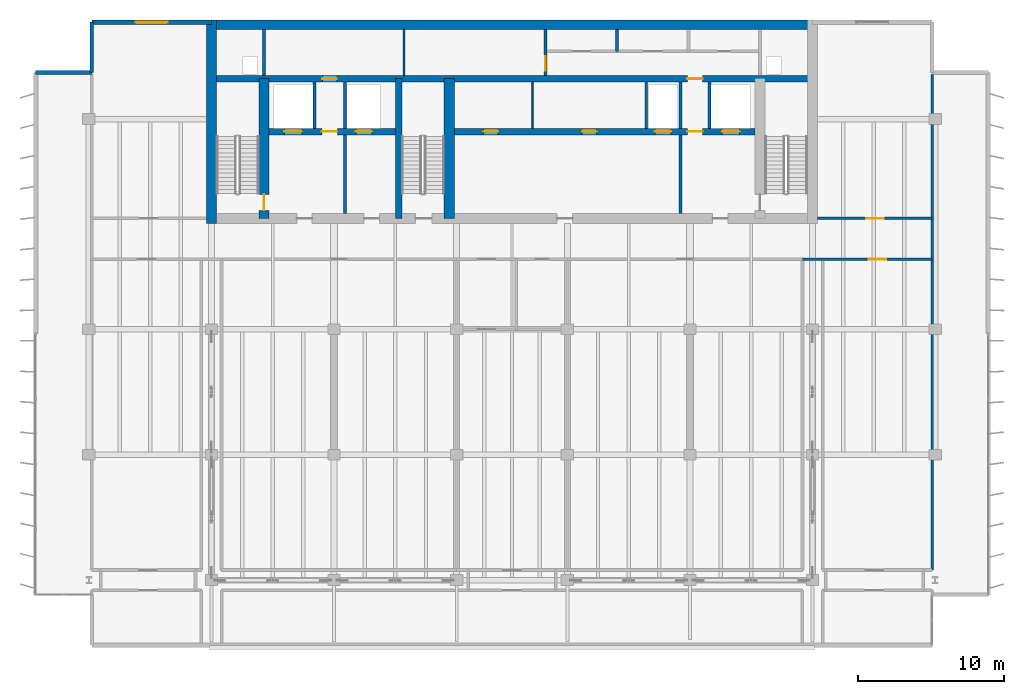
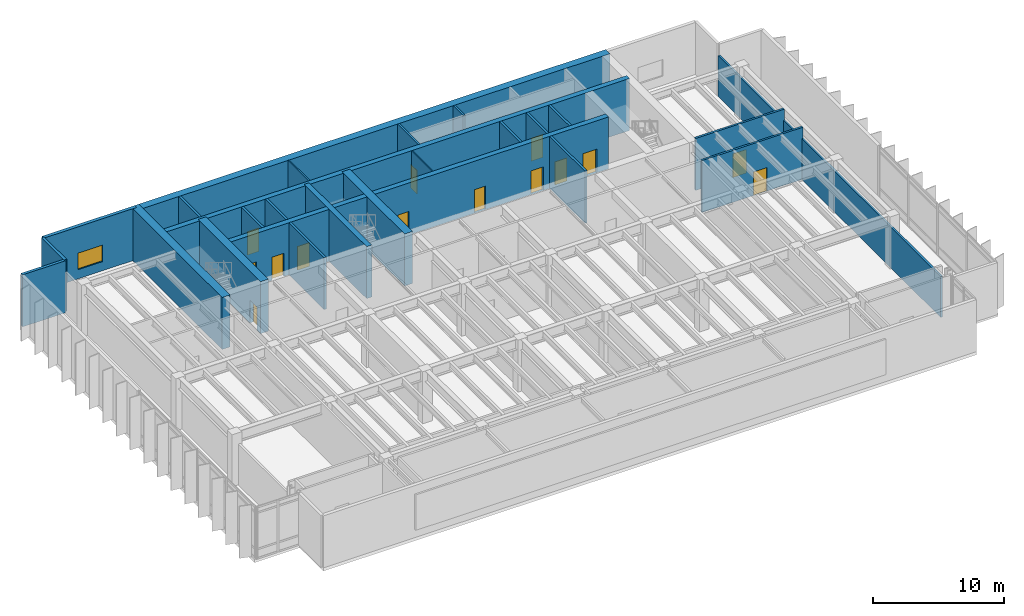
# One storey, part 17 of 23: 25 walls, 14 doors, 1 window, 15 openings.
"""IFC4 building model written with IfcOpenShell, lengths in metres."""

from ifc_helpers import new_model, si_unit, direction, frame, frame_2d, origin, place, context, subcontext, project, spatial, rectangle, extrude, material, layer, layer_set, type_object, element, fill, save


model = new_model("IFC4")

# Units and contexts
model_context = context("Model", 3, precision=1e-05, world=origin(), true_north=direction((0.0, 1.0)))
body_context = subcontext(model_context, "Body", "Model", "MODEL_VIEW")
ifc_project = project(units=[si_unit("LENGTHUNIT", "METRE"), si_unit("AREAUNIT", "SQUARE_METRE"), si_unit("VOLUMEUNIT", "CUBIC_METRE"), si_unit("PLANEANGLEUNIT", "RADIAN"), si_unit("MASSUNIT", "GRAM", prefix="KILO")], contexts=[model_context])

# Site, building, storey
site_placement = place(None, origin())
site = spatial("IfcSite", under=ifc_project, at=site_placement, CompositionType="ELEMENT")
building_placement = place(site_placement, origin())
building = spatial("IfcBuilding", under=site, at=building_placement, Name="Caelmar Bay Residences", CompositionType="ELEMENT")
storey_placement = place(building_placement, frame((0.0, 0.0, 221.39990234375)))
storey = spatial("IfcBuildingStorey", under=building, at=storey_placement, Name="L62", CompositionType="ELEMENT", Elevation=221.39990234375)

# Wall
ifc_material_1 = material(Name="Concrete f'c 55 MPa (8,000 psi)", Category="concrete")
ifc_layer_1 = layer(ifc_material_1, 0.699951171875)
ifc_layer_set_1 = layer_set([ifc_layer_1], Name="Concrete f'c 55 MPa (8,000 psi)")
wall_type_1 = type_object("IfcWallType", Name="SW-COR-700", PredefinedType="SHEAR", material=ifc_layer_set_1)
wall_1_placement = place(storey_placement, frame((18.300048828125, 36.64990234375, 0.0), z_axis=(0.0, 0.0, 1.0), x_axis=(0.0, 1.0, 0.0)))
element("IfcWall", 1, at=wall_1_placement, inside=storey, type_object=wall_type_1, Name="L62 Rear Core West Shear Wall", PredefinedType="SHEAR", context=body_context, shape_type="SweptSolid", body=[
    extrude(rectangle(XDim=13.9501953125, YDim=0.699951171875, at=frame_2d((6.97509765625, 0.0))), origin(), (0.0, 0.0, 1.0), 4.85009765625),
])

# Wall, opening, door
wall_2_placement = place(storey_placement, frame((21.89990234375, 37.0, 0.0), z_axis=(0.0, 0.0, 1.0), x_axis=(0.0, 1.0, 0.0)))
wall_2 = element("IfcWall", 2, at=wall_2_placement, inside=storey, type_object=wall_type_1, Name="L62 Core Structural Web Wall ST1E", PredefinedType="SHEAR", context=body_context, shape_type="SweptSolid", body=[
    extrude(rectangle(XDim=9.574951171875, YDim=0.699951171875, at=frame_2d((4.78759765625, 0.0))), origin(), (0.0, 0.0, 1.0), 4.85009765625),
])
opening_1_placement = place(wall_2_placement, frame((0.550048828125, 0.0, 0.0)))
opening_1 = element("IfcOpeningElement", 3, at=opening_1_placement, cuts=wall_2, Name="Opening D-L62-107", PredefinedType="OPENING", context=body_context, shape_type="SweptSolid", body=[
    extrude(rectangle(XDim=1.10009765625, YDim=2.14990234375, at=frame_2d((0.550048828125, 1.074951171875))), frame((0.0, 0.35986328125, 0.0), z_axis=(0.0, -1.0, 0.0), x_axis=(1.0, 0.0, 0.0)), (0.0, 0.0, 1.0), 0.719970703125),
])
ifc_material_2 = material(Name="Fire-rated steel and walnut architectural door assembly", Category="steel")
ifc_layer_2 = layer(ifc_material_2, 0.050048828125)
ifc_layer_set_2 = layer_set([ifc_layer_2], Name="Fire-rated steel and walnut architectural door assembly")
door_type_1 = type_object("IfcDoorType", Name="D-STAIR-1100", OperationType="NOTDEFINED", PredefinedType="DOOR", material=ifc_layer_set_2)
door_1_placement = place(opening_1_placement, origin())
door_1 = element("IfcDoor", 4, at=door_1_placement, inside=storey, type_object=door_type_1, Name="L62 Firefighting Lobby West Door", OperationType="SINGLE_SWING_RIGHT", OverallHeight=2.14990234375, OverallWidth=1.10009765625, PredefinedType="DOOR", context=body_context, shape_type="SweptSolid", body=[
    extrude(rectangle(XDim=1.10009765625, YDim=2.14990234375, at=frame_2d((0.550048828125, 1.074951171875))), frame((0.0, 0.02490234375, 0.0), z_axis=(0.0, -1.0, 0.0), x_axis=(1.0, 0.0, 0.0)), (0.0, 0.0, 1.0), 0.050048828125),
])
fill(opening_1, door_1)

# Walls
wall_3_placement = place(storey_placement, frame((34.60009765625, 37.0, 0.0), z_axis=(0.0, 0.0, 1.0), x_axis=(0.0, 1.0, 0.0)))
element("IfcWall", 5, at=wall_3_placement, inside=storey, type_object=wall_type_1, Name="L62 Core Structural Web Wall ST3E", PredefinedType="SHEAR", context=body_context, shape_type="SweptSolid", body=[
    extrude(rectangle(XDim=9.574951171875, YDim=0.699951171875, at=frame_2d((4.78759765625, 0.0))), origin(), (0.0, 0.0, 1.0), 4.85009765625),
])
ifc_layer_3 = layer(ifc_material_1, 0.64990234375)
ifc_layer_set_3 = layer_set([ifc_layer_3], Name="Concrete f'c 55 MPa (8,000 psi)")
wall_type_2 = type_object("IfcWallType", Name="SW-CORN-650", PredefinedType="SHEAR", material=ifc_layer_set_3)
wall_4_placement = place(storey_placement, frame((17.949951171875, 50.27490234375, 0.0), z_axis=(0.0, 0.0, 1.0), x_axis=(1.0, 0.0, 0.0)))
element("IfcWall", 6, at=wall_4_placement, inside=storey, type_object=wall_type_2, Name="L62 Rear Core North Shear Wall", PredefinedType="SHEAR", context=body_context, shape_type="SweptSolid", body=[
    extrude(rectangle(XDim=41.900146484375, YDim=0.64990234375, at=frame_2d((20.9501953125, 0.0))), origin(), (0.0, 0.0, 1.0), 4.85009765625),
])
ifc_material_3 = material(Name="Concrete f'c 70 MPa (10,000 psi)", Category="concrete")
ifc_layer_4 = layer(ifc_material_3, 0.449951171875)
ifc_layer_set_4 = layer_set([ifc_layer_4], Name="Concrete f'c 70 MPa (10,000 psi)")
wall_type_3 = type_object("IfcWallType", Name="SW-WEB-450", PredefinedType="SHEAR", material=ifc_layer_set_4)
wall_5_placement = place(storey_placement, frame((31.125, 37.0, 0.0), z_axis=(0.0, 0.0, 1.0), x_axis=(0.0, 1.0, 0.0)))
element("IfcWall", 7, at=wall_5_placement, inside=storey, type_object=wall_type_3, Name="L62 Core Structural Web Wall ST3W", PredefinedType="SHEAR", context=body_context, shape_type="SweptSolid", body=[
    extrude(rectangle(XDim=9.574951171875, YDim=0.449951171875, at=frame_2d((4.78759765625, 0.0))), origin(), (0.0, 0.0, 1.0), 4.85009765625),
])

# Wall, openings, doors
wall_6_placement = place(storey_placement, frame((22.25, 42.949951171875, 0.0), z_axis=(0.0, 0.0, 1.0), x_axis=(1.0, 0.0, 0.0)))
wall_6 = element("IfcWall", 8, at=wall_6_placement, inside=storey, type_object=wall_type_3, Name="L62 Core Structural Web Wall LFR", PredefinedType="SHEAR", context=body_context, shape_type="SweptSolid", body=[
    extrude(rectangle(XDim=33.300048828125, YDim=0.449951171875, at=frame_2d((16.64990234375, 0.0))), origin(), (0.0, 0.0, 1.0), 4.85009765625),
])
opening_2_placement = place(wall_6_placement, frame((1.050048828125, 0.0, 0.0)))
opening_2 = element("IfcOpeningElement", 9, at=opening_2_placement, cuts=wall_6, Name="Opening LD2", PredefinedType="OPENING", context=body_context, shape_type="SweptSolid", body=[
    extrude(rectangle(XDim=1.199951171875, YDim=2.199951171875, at=frame_2d((0.60009765625, 1.10009765625))), frame((0.0, 0.23486328125, 0.0), z_axis=(0.0, -1.0, 0.0), x_axis=(1.0, 0.0, 0.0)), (0.0, 0.0, 1.0), 0.469970703125),
])
opening_3_placement = place(wall_6_placement, frame((31.050048828125, 0.0, 0.0)))
opening_3 = element("IfcOpeningElement", 10, at=opening_3_placement, cuts=wall_6, Name="Opening LD2", PredefinedType="OPENING", context=body_context, shape_type="SweptSolid", body=[
    extrude(rectangle(XDim=1.199951171875, YDim=2.199951171875, at=frame_2d((0.60009765625, 1.10009765625))), frame((0.0, 0.23486328125, 0.0), z_axis=(0.0, -1.0, 0.0), x_axis=(1.0, 0.0, 0.0)), (0.0, 0.0, 1.0), 0.469970703125),
])
opening_4_placement = place(wall_6_placement, frame((26.449951171875, 0.0, 0.0)))
opening_4 = element("IfcOpeningElement", 11, at=opening_4_placement, cuts=wall_6, Name="Opening LD1", PredefinedType="OPENING", context=body_context, shape_type="SweptSolid", body=[
    extrude(rectangle(XDim=1.10009765625, YDim=2.199951171875, at=frame_2d((0.550048828125, 1.10009765625))), frame((0.0, 0.23486328125, 0.0), z_axis=(0.0, -1.0, 0.0), x_axis=(1.0, 0.0, 0.0)), (0.0, 0.0, 1.0), 0.469970703125),
])
opening_5_placement = place(wall_6_placement, frame((5.949951171875, 0.0, 0.0)))
opening_5 = element("IfcOpeningElement", 12, at=opening_5_placement, cuts=wall_6, Name="Opening LD1", PredefinedType="OPENING", context=body_context, shape_type="SweptSolid", body=[
    extrude(rectangle(XDim=1.10009765625, YDim=2.199951171875, at=frame_2d((0.550048828125, 1.10009765625))), frame((0.0, 0.23486328125, 0.0), z_axis=(0.0, -1.0, 0.0), x_axis=(1.0, 0.0, 0.0)), (0.0, 0.0, 1.0), 0.469970703125),
])
opening_6_placement = place(wall_6_placement, frame((3.625, 0.0, 0.0)))
opening_6 = element("IfcOpeningElement", 13, at=opening_6_placement, cuts=wall_6, Name="Opening D-L62-108", PredefinedType="OPENING", context=body_context, shape_type="SweptSolid", body=[
    extrude(rectangle(XDim=1.050048828125, YDim=2.14990234375, at=frame_2d((0.52490234375, 1.074951171875))), frame((0.0, 0.23486328125, 0.0), z_axis=(0.0, -1.0, 0.0), x_axis=(1.0, 0.0, 0.0)), (0.0, 0.0, 1.0), 0.469970703125),
])
opening_7_placement = place(wall_6_placement, frame((28.675048828125, 0.0, 0.0)))
opening_7 = element("IfcOpeningElement", 14, at=opening_7_placement, cuts=wall_6, Name="Opening D-L62-111", PredefinedType="OPENING", context=body_context, shape_type="SweptSolid", body=[
    extrude(rectangle(XDim=1.050048828125, YDim=2.14990234375, at=frame_2d((0.52490234375, 1.074951171875))), frame((0.0, 0.23486328125, 0.0), z_axis=(0.0, -1.0, 0.0), x_axis=(1.0, 0.0, 0.0)), (0.0, 0.0, 1.0), 0.469970703125),
])
opening_8_placement = place(wall_6_placement, frame((14.699951171875, 0.0, 0.0)))
opening_8 = element("IfcOpeningElement", 15, at=opening_8_placement, cuts=wall_6, Name="Opening D-L62-114", PredefinedType="OPENING", context=body_context, shape_type="SweptSolid", body=[
    extrude(rectangle(XDim=1.0, YDim=2.199951171875, at=frame_2d((0.5, 1.10009765625))), frame((0.0, 0.23486328125, 0.0), z_axis=(0.0, -1.0, 0.0), x_axis=(1.0, 0.0, 0.0)), (0.0, 0.0, 1.0), 0.469970703125),
])
opening_9_placement = place(wall_6_placement, frame((21.449951171875, 0.0, 0.0)))
opening_9 = element("IfcOpeningElement", 16, at=opening_9_placement, cuts=wall_6, Name="Opening D-L62-115", PredefinedType="OPENING", context=body_context, shape_type="SweptSolid", body=[
    extrude(rectangle(XDim=1.0, YDim=2.199951171875, at=frame_2d((0.5, 1.10009765625))), frame((0.0, 0.23486328125, 0.0), z_axis=(0.0, -1.0, 0.0), x_axis=(1.0, 0.0, 0.0)), (0.0, 0.0, 1.0), 0.469970703125),
])
ifc_layer_5 = layer(ifc_material_2, 0.050048828125)
ifc_layer_set_5 = layer_set([ifc_layer_5], Name="Fire-rated steel and walnut architectural door assembly")
door_type_2 = type_object("IfcDoorType", Name="D-FSAE-1050", OperationType="NOTDEFINED", PredefinedType="DOOR", material=ifc_layer_set_5)
door_2_placement = place(opening_6_placement, origin())
door_2 = element("IfcDoor", 17, at=door_2_placement, inside=storey, type_object=door_type_2, Name="L62 Firefighting Lobby West Door", OperationType="SINGLE_SWING_LEFT", OverallHeight=2.14990234375, OverallWidth=1.050048828125, PredefinedType="DOOR", context=body_context, shape_type="SweptSolid", body=[
    extrude(rectangle(XDim=1.050048828125, YDim=2.14990234375, at=frame_2d((0.52490234375, 1.074951171875))), frame((0.0, 0.02490234375, 0.0), z_axis=(0.0, -1.0, 0.0), x_axis=(1.0, 0.0, 0.0)), (0.0, 0.0, 1.0), 0.050048828125),
])
fill(opening_6, door_2)
door_3_placement = place(opening_7_placement, origin())
door_3 = element("IfcDoor", 18, at=door_3_placement, inside=storey, type_object=door_type_2, Name="L62 Firefighting Lobby East Door", OperationType="SINGLE_SWING_RIGHT", OverallHeight=2.14990234375, OverallWidth=1.050048828125, PredefinedType="DOOR", context=body_context, shape_type="SweptSolid", body=[
    extrude(rectangle(XDim=1.050048828125, YDim=2.14990234375, at=frame_2d((0.52490234375, 1.074951171875))), frame((0.0, 0.02490234375, 0.0), z_axis=(0.0, -1.0, 0.0), x_axis=(1.0, 0.0, 0.0)), (0.0, 0.0, 1.0), 0.050048828125),
])
fill(opening_7, door_3)
ifc_material_4 = material(Name="Brushed bronze stainless-steel fire-rated lift landing doors", Category="steel")
ifc_layer_6 = layer(ifc_material_4, 0.050048828125)
ifc_layer_set_6 = layer_set([ifc_layer_6], Name="Brushed bronze stainless-steel fire-rated lift landing doors")
door_type_3 = type_object("IfcDoorType", Name="D-LND-1100", OperationType="DOUBLE_DOOR_SLIDING", PredefinedType="DOOR", material=ifc_layer_set_6)
door_4_placement = place(opening_4_placement, origin())
door_4 = element("IfcDoor", 19, at=door_4_placement, inside=storey, type_object=door_type_3, Name="L62 LP6 Sliding Landing Door", OperationType="DOUBLE_DOOR_SLIDING", OverallHeight=2.199951171875, OverallWidth=1.10009765625, PredefinedType="DOOR", context=body_context, shape_type="SweptSolid", body=[
    extrude(rectangle(XDim=1.10009765625, YDim=2.199951171875, at=frame_2d((0.550048828125, 1.10009765625))), frame((0.0, 0.02490234375, 0.0), z_axis=(0.0, -1.0, 0.0), x_axis=(1.0, 0.0, 0.0)), (0.0, 0.0, 1.0), 0.050048828125),
])
fill(opening_4, door_4)
door_5_placement = place(opening_5_placement, origin())
door_5 = element("IfcDoor", 20, at=door_5_placement, inside=storey, type_object=door_type_3, Name="L62 LP7 Sliding Landing Door", OperationType="DOUBLE_DOOR_SLIDING", OverallHeight=2.199951171875, OverallWidth=1.10009765625, PredefinedType="DOOR", context=body_context, shape_type="SweptSolid", body=[
    extrude(rectangle(XDim=1.10009765625, YDim=2.199951171875, at=frame_2d((0.550048828125, 1.10009765625))), frame((0.0, 0.02490234375, 0.0), z_axis=(0.0, -1.0, 0.0), x_axis=(1.0, 0.0, 0.0)), (0.0, 0.0, 1.0), 0.050048828125),
])
fill(opening_5, door_5)
ifc_material_5 = material(Name="Brushed stainless-steel FSAE sliding landing door", Category="steel")
ifc_layer_7 = layer(ifc_material_5, 0.050048828125)
ifc_layer_set_7 = layer_set([ifc_layer_7], Name="Brushed stainless-steel FSAE sliding landing door")
door_type_4 = type_object("IfcDoorType", Name="D-LND-1200", OperationType="DOUBLE_DOOR_SLIDING", PredefinedType="DOOR", material=ifc_layer_set_7)
door_6_placement = place(opening_2_placement, origin())
door_6 = element("IfcDoor", 21, at=door_6_placement, inside=storey, type_object=door_type_4, Name="L62 LF1 Sliding Landing Door", OperationType="DOUBLE_DOOR_SLIDING", OverallHeight=2.199951171875, OverallWidth=1.199951171875, PredefinedType="DOOR", context=body_context, shape_type="SweptSolid", body=[
    extrude(rectangle(XDim=1.199951171875, YDim=2.199951171875, at=frame_2d((0.60009765625, 1.10009765625))), frame((0.0, 0.02490234375, 0.0), z_axis=(0.0, -1.0, 0.0), x_axis=(1.0, 0.0, 0.0)), (0.0, 0.0, 1.0), 0.050048828125),
])
fill(opening_2, door_6)
door_7_placement = place(opening_3_placement, origin())
door_7 = element("IfcDoor", 22, at=door_7_placement, inside=storey, type_object=door_type_4, Name="L62 LF2 Sliding Landing Door", OperationType="DOUBLE_DOOR_SLIDING", OverallHeight=2.199951171875, OverallWidth=1.199951171875, PredefinedType="DOOR", context=body_context, shape_type="SweptSolid", body=[
    extrude(rectangle(XDim=1.199951171875, YDim=2.199951171875, at=frame_2d((0.60009765625, 1.10009765625))), frame((0.0, 0.02490234375, 0.0), z_axis=(0.0, -1.0, 0.0), x_axis=(1.0, 0.0, 0.0)), (0.0, 0.0, 1.0), 0.050048828125),
])
fill(opening_3, door_7)
ifc_layer_8 = layer(ifc_material_2, 0.050048828125)
ifc_layer_set_8 = layer_set([ifc_layer_8], Name="Fire-rated steel and walnut architectural door assembly")
door_type_5 = type_object("IfcDoorType", Name="D-UNIT-1000", OperationType="NOTDEFINED", PredefinedType="DOOR", material=ifc_layer_set_8)
door_8_placement = place(opening_8_placement, origin())
door_8 = element("IfcDoor", 23, at=door_8_placement, inside=storey, type_object=door_type_5, Name="L62 Executive Study Door", OperationType="SINGLE_SWING_LEFT", OverallHeight=2.199951171875, OverallWidth=1.0, PredefinedType="DOOR", context=body_context, shape_type="SweptSolid", body=[
    extrude(rectangle(XDim=1.0, YDim=2.199951171875, at=frame_2d((0.5, 1.10009765625))), frame((0.0, 0.02490234375, 0.0), z_axis=(0.0, -1.0, 0.0), x_axis=(1.0, 0.0, 0.0)), (0.0, 0.0, 1.0), 0.050048828125),
])
fill(opening_8, door_8)
door_9_placement = place(opening_9_placement, origin())
door_9 = element("IfcDoor", 24, at=door_9_placement, inside=storey, type_object=door_type_5, Name="L62 Residents Reading Lounge Door", OperationType="SINGLE_SWING_RIGHT", OverallHeight=2.199951171875, OverallWidth=1.0, PredefinedType="DOOR", context=body_context, shape_type="SweptSolid", body=[
    extrude(rectangle(XDim=1.0, YDim=2.199951171875, at=frame_2d((0.5, 1.10009765625))), frame((0.0, 0.02490234375, 0.0), z_axis=(0.0, -1.0, 0.0), x_axis=(1.0, 0.0, 0.0)), (0.0, 0.0, 1.0), 0.050048828125),
])
fill(opening_9, door_9)

wall_7_placement = place(storey_placement, frame((18.300048828125, 46.574951171875, 0.0), z_axis=(0.0, 0.0, 1.0), x_axis=(1.0, 0.0, 0.0)))
wall_7 = element("IfcWall", 25, at=wall_7_placement, inside=storey, type_object=wall_type_3, Name="L62 Core Structural Web Wall SRVS", PredefinedType="SHEAR", context=body_context, shape_type="SweptSolid", body=[
    extrude(rectangle(XDim=41.199951171875, YDim=0.449951171875, at=frame_2d((20.60009765625, 0.0))), origin(), (0.0, 0.0, 1.0), 4.85009765625),
])
opening_10_placement = place(wall_7_placement, frame((7.60009765625, 0.0, 0.0)))
opening_10 = element("IfcOpeningElement", 26, at=opening_10_placement, cuts=wall_7, Name="Opening D-L62-116", PredefinedType="OPENING", context=body_context, shape_type="SweptSolid", body=[
    extrude(rectangle(XDim=1.0, YDim=2.199951171875, at=frame_2d((0.5, 1.10009765625))), frame((0.0, 0.23486328125, 0.0), z_axis=(0.0, -1.0, 0.0), x_axis=(1.0, 0.0, 0.0)), (0.0, 0.0, 1.0), 0.469970703125),
])
opening_11_placement = place(wall_7_placement, frame((32.625, 0.0, 0.0)))
opening_11 = element("IfcOpeningElement", 27, at=opening_11_placement, cuts=wall_7, Name="Opening D-L62-117", PredefinedType="OPENING", context=body_context, shape_type="SweptSolid", body=[
    extrude(rectangle(XDim=1.050048828125, YDim=2.14990234375, at=frame_2d((0.52490234375, 1.074951171875))), frame((0.0, 0.23486328125, 0.0), z_axis=(0.0, -1.0, 0.0), x_axis=(1.0, 0.0, 0.0)), (0.0, 0.0, 1.0), 0.469970703125),
])
door_10_placement = place(opening_11_placement, origin())
door_10 = element("IfcDoor", 28, at=door_10_placement, inside=storey, type_object=door_type_2, Name="L62 East Core Service Corridor Door", OperationType="SINGLE_SWING_RIGHT", OverallHeight=2.14990234375, OverallWidth=1.050048828125, PredefinedType="DOOR", context=body_context, shape_type="SweptSolid", body=[
    extrude(rectangle(XDim=1.050048828125, YDim=2.14990234375, at=frame_2d((0.52490234375, 1.074951171875))), frame((0.0, 0.02490234375, 0.0), z_axis=(0.0, -1.0, 0.0), x_axis=(1.0, 0.0, 0.0)), (0.0, 0.0, 1.0), 0.050048828125),
])
fill(opening_11, door_10)
door_11_placement = place(opening_10_placement, origin())
door_11 = element("IfcDoor", 29, at=door_11_placement, inside=storey, type_object=door_type_5, Name="L62 Package Concierge Office Door", OperationType="SINGLE_SWING_LEFT", OverallHeight=2.199951171875, OverallWidth=1.0, PredefinedType="DOOR", context=body_context, shape_type="SweptSolid", body=[
    extrude(rectangle(XDim=1.0, YDim=2.199951171875, at=frame_2d((0.5, 1.10009765625))), frame((0.0, 0.02490234375, 0.0), z_axis=(0.0, -1.0, 0.0), x_axis=(1.0, 0.0, 0.0)), (0.0, 0.0, 1.0), 0.050048828125),
])
fill(opening_10, door_11)

# Wall, opening, door
ifc_material_6 = material(Name="Double-stud acoustic fire-rated gypsum partition 180 mm")
ifc_layer_9 = layer(ifc_material_6, 0.179931640625)
ifc_layer_set_9 = layer_set([ifc_layer_9], Name="Double-stud acoustic fire-rated gypsum partition 180 mm")
wall_type_4 = type_object("IfcWallType", Name="W-COR-200", PredefinedType="PARTITIONING", material=ifc_layer_set_9)
wall_8_placement = place(storey_placement, frame((41.199951171875, 46.794921875, 0.0), z_axis=(0.0, 0.0, 1.0), x_axis=(0.0, 1.0, 0.0)))
wall_8 = element("IfcWall", 30, at=wall_8_placement, inside=storey, type_object=wall_type_4, Name="L62 Partition Wall V018", PredefinedType="PARTITIONING", context=body_context, shape_type="SweptSolid", body=[
    extrude(rectangle(XDim=3.16015625, YDim=0.179931640625, at=frame_2d((1.580078125, 0.0))), origin(), (0.0, 0.0, 1.0), 4.85009765625),
])
opening_12_placement = place(wall_8_placement, frame((0.327392578125, 0.0, 0.0)))
opening_12 = element("IfcOpeningElement", 31, at=opening_12_placement, cuts=wall_8, Name="Opening D-L62-118", PredefinedType="OPENING", context=body_context, shape_type="SweptSolid", body=[
    extrude(rectangle(XDim=1.0, YDim=2.199951171875, at=frame_2d((0.5, 1.10009765625))), frame((0.0, 0.099853515625, 0.0), z_axis=(0.0, -1.0, 0.0), x_axis=(1.0, 0.0, 0.0)), (0.0, 0.0, 1.0), 0.199951171875),
])
door_12_placement = place(opening_12_placement, origin())
door_12 = element("IfcDoor", 32, at=door_12_placement, inside=storey, type_object=door_type_5, Name="L62 Engineering Control Office Door", OperationType="SINGLE_SWING_LEFT", OverallHeight=2.199951171875, OverallWidth=1.0, PredefinedType="DOOR", context=body_context, shape_type="SweptSolid", body=[
    extrude(rectangle(XDim=1.0, YDim=2.199951171875, at=frame_2d((0.5, 1.10009765625))), frame((0.0, 0.02490234375, 0.0), z_axis=(0.0, -1.0, 0.0), x_axis=(1.0, 0.0, 0.0)), (0.0, 0.0, 1.0), 0.050048828125),
])
fill(opening_12, door_12)

# Walls
wall_9_placement = place(storey_placement, frame((46.10009765625, 48.449951171875, 0.0), z_axis=(0.0, 0.0, 1.0), x_axis=(0.0, 1.0, 0.0)))
element("IfcWall", 33, at=wall_9_placement, inside=storey, type_object=wall_type_4, Name="L62 Partition Wall V021", PredefinedType="PARTITIONING", context=body_context, shape_type="SweptSolid", body=[
    extrude(rectangle(XDim=1.505126953125, YDim=0.179931640625, at=frame_2d((0.75244140625, 0.0))), origin(), (0.0, 0.0, 1.0), 4.85009765625),
])
wall_10_placement = place(storey_placement, frame((67.699951171875, 12.89990234375, 0.0), z_axis=(0.0, 0.0, 1.0), x_axis=(0.0, 1.0, 0.0)))
element("IfcWall", 34, at=wall_10_placement, inside=storey, type_object=wall_type_4, Name="L62 Partition Wall V035", PredefinedType="PARTITIONING", context=body_context, shape_type="SweptSolid", body=[
    extrude(rectangle(XDim=33.97998046875, YDim=0.179931640625, at=frame_2d((16.989990234375, 0.0))), origin(), (0.0, 0.0, 1.0), 3.814208984375),
])

# Wall, opening, door
wall_11_placement = place(storey_placement, frame((58.804931640625, 34.199951171875, 0.0), z_axis=(0.0, 0.0, 1.0), x_axis=(1.0, 0.0, 0.0)))
wall_11 = element("IfcWall", 35, at=wall_11_placement, inside=storey, type_object=wall_type_4, Name="L62 Partition Wall H049", PredefinedType="PARTITIONING", context=body_context, shape_type="SweptSolid", body=[
    extrude(rectangle(XDim=8.89501953125, YDim=0.179931640625, at=frame_2d((4.447509765625, 0.0))), origin(), (0.0, 0.0, 1.0), 4.85009765625),
])
opening_13_placement = place(wall_11_placement, frame((4.544921875, 0.0, 0.0)))
opening_13 = element("IfcOpeningElement", 36, at=opening_13_placement, cuts=wall_11, Name="Opening D-L62-127", PredefinedType="OPENING", context=body_context, shape_type="SweptSolid", body=[
    extrude(rectangle(XDim=1.199951171875, YDim=2.199951171875, at=frame_2d((0.60009765625, 1.10009765625))), frame((0.0, 0.099853515625, 0.0), z_axis=(0.0, -1.0, 0.0), x_axis=(1.0, 0.0, 0.0)), (0.0, 0.0, 1.0), 0.199951171875),
])
ifc_layer_10 = layer(ifc_material_2, 0.050048828125)
ifc_layer_set_10 = layer_set([ifc_layer_10], Name="Fire-rated steel and walnut architectural door assembly")
door_type_6 = type_object("IfcDoorType", Name="D-PLANT-1200", OperationType="NOTDEFINED", PredefinedType="DOOR", material=ifc_layer_set_10)
door_13_placement = place(opening_13_placement, origin())
door_13 = element("IfcDoor", 37, at=door_13_placement, inside=storey, type_object=door_type_6, Name="L62 Outrigger Control Plant Room L62 Door", OperationType="SINGLE_SWING_RIGHT", OverallHeight=2.199951171875, OverallWidth=1.199951171875, PredefinedType="DOOR", context=body_context, shape_type="SweptSolid", body=[
    extrude(rectangle(XDim=1.199951171875, YDim=2.199951171875, at=frame_2d((0.60009765625, 1.10009765625))), frame((0.0, 0.02490234375, 0.0), z_axis=(0.0, -1.0, 0.0), x_axis=(1.0, 0.0, 0.0)), (0.0, 0.0, 1.0), 0.050048828125),
])
fill(opening_13, door_13)

wall_12_placement = place(storey_placement, frame((59.85498046875, 37.0, 0.0), z_axis=(0.0, 0.0, 1.0), x_axis=(1.0, 0.0, 0.0)))
wall_12 = element("IfcWall", 38, at=wall_12_placement, inside=storey, type_object=wall_type_4, Name="L62 Partition Wall H051", PredefinedType="PARTITIONING", context=body_context, shape_type="SweptSolid", body=[
    extrude(rectangle(XDim=7.844970703125, YDim=0.179931640625, at=frame_2d((3.92236328125, 0.0))), origin(), (0.0, 0.0, 1.0), 4.85009765625),
])
opening_14_placement = place(wall_12_placement, frame((3.322509765625, 0.0, 0.0)))
opening_14 = element("IfcOpeningElement", 39, at=opening_14_placement, cuts=wall_12, Name="Opening D-L62-129", PredefinedType="OPENING", context=body_context, shape_type="SweptSolid", body=[
    extrude(rectangle(XDim=1.199951171875, YDim=2.199951171875, at=frame_2d((0.60009765625, 1.10009765625))), frame((0.0, 0.099853515625, 0.0), z_axis=(0.0, -1.0, 0.0), x_axis=(1.0, 0.0, 0.0)), (0.0, 0.0, 1.0), 0.199951171875),
])
door_14_placement = place(opening_14_placement, origin())
door_14 = element("IfcDoor", 40, at=door_14_placement, inside=storey, type_object=door_type_6, Name="L62 North Relief Plant Room L62 Door", OperationType="SINGLE_SWING_RIGHT", OverallHeight=2.199951171875, OverallWidth=1.199951171875, PredefinedType="DOOR", context=body_context, shape_type="SweptSolid", body=[
    extrude(rectangle(XDim=1.199951171875, YDim=2.199951171875, at=frame_2d((0.60009765625, 1.10009765625))), frame((0.0, 0.02490234375, 0.0), z_axis=(0.0, -1.0, 0.0), x_axis=(1.0, 0.0, 0.0)), (0.0, 0.0, 1.0), 0.050048828125),
])
fill(opening_14, door_14)

# Walls
ifc_material_7 = material(Name="Precast concrete f'c 40 MPa (6,000 psi)", Category="concrete")
ifc_layer_11 = layer(ifc_material_7, 0.25)
ifc_layer_set_11 = layer_set([ifc_layer_11], Name="Precast concrete f'c 40 MPa (6,000 psi)")
wall_type_5 = type_object("IfcWallType", Name="W-EXT-250", PredefinedType="ELEMENTEDWALL", material=ifc_layer_set_11)
wall_13_placement = place(storey_placement, frame((6.25, 47.0, 0.0), z_axis=(0.0, 0.0, 1.0), x_axis=(1.0, 0.0, 0.0)))
element("IfcWall", 41, at=wall_13_placement, inside=storey, type_object=wall_type_5, Name="L62 NNW-H Notch Wall", PredefinedType="ELEMENTEDWALL", context=body_context, shape_type="SweptSolid", body=[
    extrude(rectangle(XDim=3.85009765625, YDim=0.25, at=frame_2d((1.925048828125, 0.0))), origin(), (0.0, 0.0, 1.0), 4.85009765625),
])
wall_14_placement = place(storey_placement, frame((10.10009765625, 47.0, 0.0), z_axis=(0.0, 0.0, 1.0), x_axis=(0.0, 1.0, 0.0)))
element("IfcWall", 42, at=wall_14_placement, inside=storey, type_object=wall_type_5, Name="L62 NNW-V Notch Wall", PredefinedType="ELEMENTEDWALL", context=body_context, shape_type="SweptSolid", body=[
    extrude(rectangle(XDim=3.449951171875, YDim=0.25, at=frame_2d((1.72509765625, 0.0))), origin(), (0.0, 0.0, 1.0), 4.85009765625),
])

# Wall, opening, window
ifc_layer_12 = layer(ifc_material_7, 0.300048828125)
ifc_layer_set_12 = layer_set([ifc_layer_12], Name="Precast concrete f'c 40 MPa (6,000 psi)")
wall_type_6 = type_object("IfcWallType", Name="W-EXT-300", PredefinedType="STANDARD", material=ifc_layer_set_12)
wall_15_placement = place(storey_placement, frame((10.10009765625, 50.449951171875, 0.0), z_axis=(0.0, 0.0, 1.0), x_axis=(1.0, 0.0, 0.0)))
wall_15 = element("IfcWall", 43, at=wall_15_placement, inside=storey, type_object=wall_type_6, Name="L62 North-West Wing Exterior Wall", PredefinedType="STANDARD", context=body_context, shape_type="SweptSolid", body=[
    extrude(rectangle(XDim=8.199951171875, YDim=0.300048828125, at=frame_2d((4.10009765625, 0.0))), origin(), (0.0, 0.0, 1.0), 4.85009765625),
])
opening_15_placement = place(wall_15_placement, frame((3.0, 0.0, 0.85009765625)))
opening_15 = element("IfcOpeningElement", 44, at=opening_15_placement, cuts=wall_15, Name="Opening WN2", PredefinedType="OPENING", context=body_context, shape_type="SweptSolid", body=[
    extrude(rectangle(XDim=2.199951171875, YDim=1.550048828125, at=frame_2d((1.10009765625, 0.77490234375))), frame((0.0, 0.159912109375, 0.0), z_axis=(0.0, -1.0, 0.0), x_axis=(1.0, 0.0, 0.0)), (0.0, 0.0, 1.0), 0.320068359375),
])
ifc_material_8 = material(Name="Bronze aluminium frame with laminated low-E glass", Category="aluminium")
ifc_layer_13 = layer(ifc_material_8, 0.06005859375)
ifc_layer_set_13 = layer_set([ifc_layer_13], Name="Bronze aluminium frame with laminated low-E glass")
window_type = type_object("IfcWindowType", Name="WIN-BR-2200", PartitioningType="SINGLE_PANEL", PredefinedType="WINDOW", material=ifc_layer_set_13)
window_placement = place(opening_15_placement, origin())
window = element("IfcWindow", 45, at=window_placement, inside=storey, type_object=window_type, Name="L62 North-West Studio Window", OverallHeight=1.550048828125, OverallWidth=2.199951171875, PartitioningType="SINGLE_PANEL", PredefinedType="WINDOW", context=body_context, shape_type="SweptSolid", body=[
    extrude(rectangle(XDim=2.199951171875, YDim=1.550048828125, at=frame_2d((1.10009765625, 0.77490234375))), frame((0.0, 0.030029296875, 0.0), z_axis=(0.0, -1.0, 0.0), x_axis=(1.0, 0.0, 0.0)), (0.0, 0.0, 1.0), 0.06005859375),
])
fill(opening_15, window)

# Walls
ifc_material_9 = material(Name="Fire-rated masonry and gypsum shaftliner assembly 200 mm", Category="masonry")
ifc_layer_14 = layer(ifc_material_9, 0.199951171875)
ifc_layer_set_14 = layer_set([ifc_layer_14], Name="Fire-rated masonry and gypsum shaftliner assembly 200 mm")
wall_type_7 = type_object("IfcWallType", Name="W-FSAE-200", PredefinedType="PARTITIONING", material=ifc_layer_set_14)
wall_16_placement = place(storey_placement, frame((21.89990234375, 46.794921875, 0.0), z_axis=(0.0, 0.0, 1.0), x_axis=(0.0, 1.0, 0.0)))
element("IfcWall", 46, at=wall_16_placement, inside=storey, type_object=wall_type_7, Name="L62 Partition Wall V009", PredefinedType="PARTITIONING", context=body_context, shape_type="SweptSolid", body=[
    extrude(rectangle(XDim=3.16015625, YDim=0.199951171875, at=frame_2d((1.580078125, 0.0))), origin(), (0.0, 0.0, 1.0), 4.85009765625),
])
wall_17_placement = place(storey_placement, frame((25.35009765625, 43.169921875, 0.0), z_axis=(0.0, 0.0, 1.0), x_axis=(0.0, 1.0, 0.0)))
element("IfcWall", 47, at=wall_17_placement, inside=storey, type_object=wall_type_7, Name="L62 Partition Wall V010", PredefinedType="PARTITIONING", context=body_context, shape_type="SweptSolid", body=[
    extrude(rectangle(XDim=3.18505859375, YDim=0.199951171875, at=frame_2d((1.592529296875, 0.0))), origin(), (0.0, 0.0, 1.0), 4.85009765625),
])
wall_18_placement = place(storey_placement, frame((27.449951171875, 37.344970703125, 0.0), z_axis=(0.0, 0.0, 1.0), x_axis=(0.0, 1.0, 0.0)))
element("IfcWall", 48, at=wall_18_placement, inside=storey, type_object=wall_type_7, Name="L62 Partition Wall V011", PredefinedType="PARTITIONING", context=body_context, shape_type="SweptSolid", body=[
    extrude(rectangle(XDim=5.385009765625, YDim=0.199951171875, at=frame_2d((2.6923828125, 0.0))), origin(), (0.0, 0.0, 1.0), 4.85009765625),
])
for number, where, z_axis, x_axis, name in (
    (49, (27.449951171875, 43.169921875, 0.0), (0.0, 0.0, 1.0), (0.0, 1.0, 0.0), "L62 Partition Wall V012"),
    (50, (48.10009765625, 43.169921875, 0.0), (0.0, 0.0, 1.0), (0.0, 1.0, 0.0), "L62 Partition Wall V022"),
):
    element("IfcWall", number, at=place(storey_placement, frame(where, z_axis=z_axis, x_axis=x_axis)), inside=storey, type_object=wall_type_7, Name=name, PredefinedType="PARTITIONING", context=body_context, shape_type="SweptSolid", body=[
        extrude(rectangle(XDim=3.18505859375, YDim=0.199951171875, at=frame_2d((1.592529296875, 0.0))), origin(), (0.0, 0.0, 1.0), 4.85009765625),
    ])
wall_19_placement = place(storey_placement, frame((50.449951171875, 37.344970703125, 0.0), z_axis=(0.0, 0.0, 1.0), x_axis=(0.0, 1.0, 0.0)))
element("IfcWall", 51, at=wall_19_placement, inside=storey, type_object=wall_type_7, Name="L62 Partition Wall V023", PredefinedType="PARTITIONING", context=body_context, shape_type="SweptSolid", body=[
    extrude(rectangle(XDim=5.385009765625, YDim=0.199951171875, at=frame_2d((2.6923828125, 0.0))), origin(), (0.0, 0.0, 1.0), 4.85009765625),
])
for number, where, z_axis, x_axis, name in (
    (52, (50.449951171875, 43.169921875, 0.0), (0.0, 0.0, 1.0), (0.0, 1.0, 0.0), "L62 Partition Wall V024"),
    (53, (52.449951171875, 43.169921875, 0.0), (0.0, 0.0, 1.0), (0.0, 1.0, 0.0), "L62 Partition Wall V026"),
):
    element("IfcWall", number, at=place(storey_placement, frame(where, z_axis=z_axis, x_axis=x_axis)), inside=storey, type_object=wall_type_7, Name=name, PredefinedType="PARTITIONING", context=body_context, shape_type="SweptSolid", body=[
        extrude(rectangle(XDim=3.18505859375, YDim=0.199951171875, at=frame_2d((1.592529296875, 0.0))), origin(), (0.0, 0.0, 1.0), 4.85009765625),
    ])
ifc_material_10 = material(Name="Anodised bronze framed acoustic sliding study partition 100 mm")
ifc_layer_15 = layer(ifc_material_10, 0.10009765625)
ifc_layer_set_15 = layer_set([ifc_layer_15], Name="Anodised bronze framed acoustic sliding study partition 100 mm")
wall_type_8 = type_object("IfcWallType", Name="W-MOV-100", PredefinedType="MOVABLE", material=ifc_layer_set_15)
wall_20_placement = place(storey_placement, frame((40.300048828125, 43.169921875, 0.0), z_axis=(0.0, 0.0, 1.0), x_axis=(0.0, 1.0, 0.0)))
element("IfcWall", 54, at=wall_20_placement, inside=storey, type_object=wall_type_8, Name="L62 Partition Wall V017", PredefinedType="MOVABLE", context=body_context, shape_type="SweptSolid", body=[
    extrude(rectangle(XDim=3.18505859375, YDim=0.10009765625, at=frame_2d((1.592529296875, 0.0))), origin(), (0.0, 0.0, 1.0), 4.85009765625),
])
ifc_material_11 = material(Name="Acoustic metal-stud gypsum partition 120 mm")
ifc_layer_16 = layer(ifc_material_11, 0.1201171875)
ifc_layer_set_16 = layer_set([ifc_layer_16], Name="Acoustic metal-stud gypsum partition 120 mm")
wall_type_9 = type_object("IfcWallType", Name="W-PRT-120", PredefinedType="PARTITIONING", material=ifc_layer_set_16)
wall_21_placement = place(storey_placement, frame((31.5, 46.794921875, 0.0), z_axis=(0.0, 0.0, 1.0), x_axis=(0.0, 1.0, 0.0)))
element("IfcWall", 55, at=wall_21_placement, inside=storey, type_object=wall_type_9, Name="L62 Partition Wall V013", PredefinedType="PARTITIONING", context=body_context, shape_type="SweptSolid", body=[
    extrude(rectangle(XDim=3.16015625, YDim=0.1201171875, at=frame_2d((1.580078125, 0.0))), origin(), (0.0, 0.0, 1.0), 4.85009765625),
])

save(model, "model.ifc")
